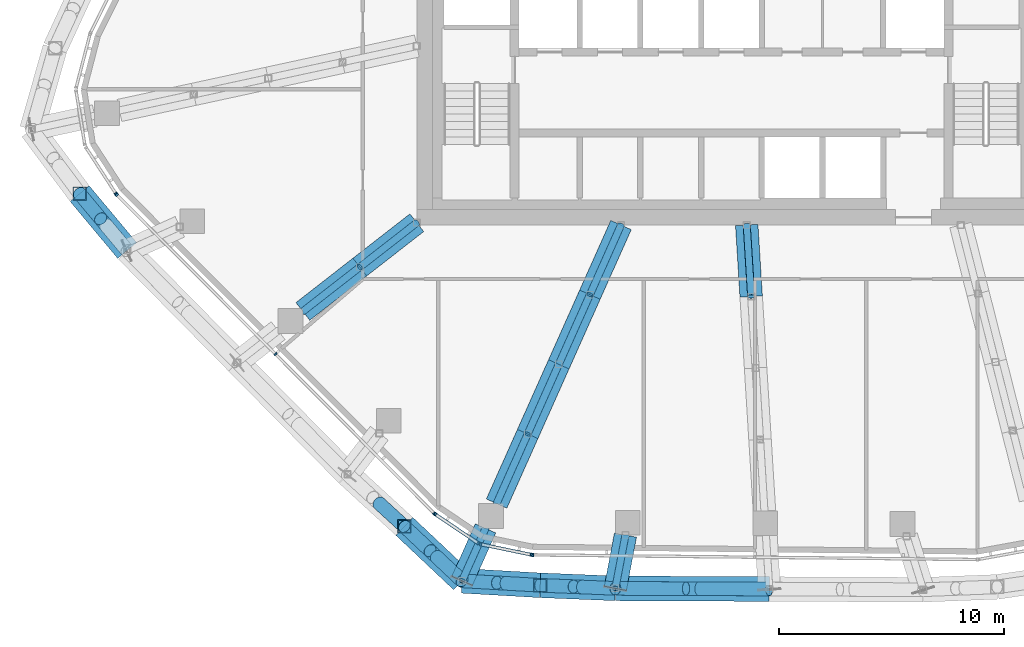
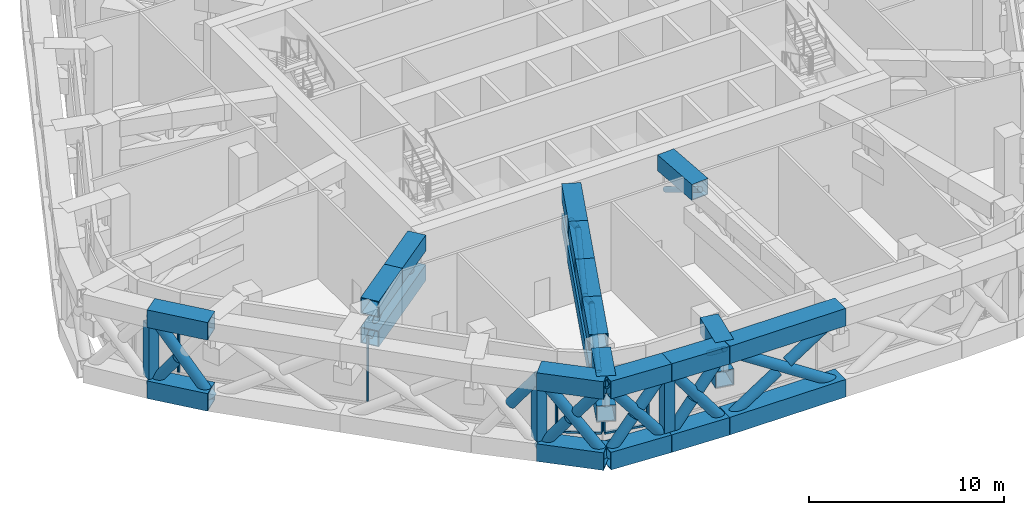
# One storey, part 2 of 31: 61 members, 4 elements without a shape of their own.
"""IFC4 building model written with IfcOpenShell, lengths in metres."""

from ifc_helpers import new_model, si_unit, direction, frame, origin, origin_2d, place, context, subcontext, project, spatial, rectangle, hollow_rectangle, hollow_circle, extrude, material, layer, layer_set, material_profile, profile_set, type_object, element, aggregate, save


model = new_model("IFC4")

# Units and contexts
model_context = context("Model", 3, precision=1e-05, world=origin(), true_north=direction((0.0, 1.0)))
body_context = subcontext(model_context, "Body", "Model", "MODEL_VIEW")
ifc_project = project(units=[si_unit("LENGTHUNIT", "METRE"), si_unit("AREAUNIT", "SQUARE_METRE"), si_unit("VOLUMEUNIT", "CUBIC_METRE"), si_unit("PLANEANGLEUNIT", "RADIAN"), si_unit("MASSUNIT", "GRAM", prefix="KILO")], contexts=[model_context])

# Site, building, storey
site_placement = place(None, origin())
site = spatial("IfcSite", under=ifc_project, at=site_placement, CompositionType="ELEMENT")
building_placement = place(site_placement, origin())
building = spatial("IfcBuilding", under=site, at=building_placement, Name="Dongbaek Canopy Tower", CompositionType="ELEMENT")
storey_placement = place(building_placement, frame((0.0, 0.0, 283.199951171875)))
storey = spatial("IfcBuildingStorey", under=building, at=storey_placement, Name="L60", CompositionType="ELEMENT", Elevation=283.199951171875)

# Members
ifc_material_1 = material(Name="Steel S355", Category="steel")
ifc_material_profile_1 = material_profile(ifc_material_1, hollow_circle(Radius=0.304931640625, WallThickness=0.01611328125, at=origin_2d()), Name="BELT BRACE CHS 610.0x16.0 Steel S355")
ifc_profile_set_1 = profile_set([ifc_material_profile_1], Name="Steel S355")
member_type_1 = type_object("IfcMemberType", Name="BELT BRACE CHS 610.0x16.0 Steel S355", PredefinedType="BRACE", material=ifc_profile_set_1)
member_1_placement = place(storey_placement, frame((1.68310546875, -27.197021484375, 0.550048828125), z_axis=(-0.838566307959, 0.003676349297, 0.544787143398), x_axis=(-0.004384046834, -0.999990390021, 0.0)))
element("IfcMember", 1, at=member_1_placement, inside=storey, type_object=member_type_1, Name="BELT:L60:2:D0:0", PredefinedType="BRACE", context=body_context, shape_type="SweptSolid", body=[
    extrude(hollow_circle(Radius=0.304931640625, WallThickness=0.01611328125, at=origin_2d()), origin(), (0.0, 0.0, 1.0), 8.168212890625),
])
for number, where, z_axis, x_axis, name in (
    (2, (-5.16650390625, -27.1669921875, 0.550048828125), (0.838546603537, -0.003645571757, 0.54481767914), (0.004347447464, 0.999990549806, 0.0), "BELT:L60:2:D0:1"),
    (3, (1.68310546875, -27.197021484375, 5.0), (-0.838595463548, 0.003710599396, -0.544742030661), (-0.004424735446, -0.99999021081, 0.0), "BELT:L60:2:D0:2"),
):
    element("IfcMember", number, at=place(storey_placement, frame(where, z_axis=z_axis, x_axis=x_axis)), inside=storey, type_object=member_type_1, Name=name, PredefinedType="BRACE", context=body_context, shape_type="SweptSolid", body=[
        extrude(hollow_circle(Radius=0.304931640625, WallThickness=0.01611328125, at=origin_2d()), origin(), (0.0, 0.0, 1.0), 3.750244140625),
    ])
member_2_placement = place(storey_placement, frame((-5.16650390625, -27.1669921875, 0.550048828125), z_axis=(-0.60045799335, 0.024512964163, 0.799280496954), x_axis=(-0.04078980297, -0.999167749667, 0.0)))
element("IfcMember", 4, at=member_2_placement, inside=storey, type_object=member_type_1, Name="BELT:L60:3:D0:0", PredefinedType="BRACE", context=body_context, shape_type="SweptSolid", body=[
    extrude(hollow_circle(Radius=0.304931640625, WallThickness=0.01611328125, at=origin_2d()), origin(), (0.0, 0.0, 1.0), 5.5673828125),
])
member_3_placement = place(storey_placement, frame((-8.509521484375, -27.030517578125, 0.550048828125), z_axis=(0.60048563624, -0.024451030688, 0.799261626608), x_axis=(0.040685046014, 0.999172020741, 0.0)))
element("IfcMember", 5, at=member_3_placement, inside=storey, type_object=member_type_1, Name="BELT:L60:3:D0:1", PredefinedType="BRACE", context=body_context, shape_type="SweptSolid", body=[
    extrude(hollow_circle(Radius=0.304931640625, WallThickness=0.01611328125, at=origin_2d()), origin(), (0.0, 0.0, 1.0), 2.46630859375),
])
member_4_placement = place(storey_placement, frame((-5.16650390625, -27.1669921875, 5.0), z_axis=(-0.600420877005, 0.024551422506, -0.799307198835), x_axis=(-0.040856212534, -0.999165036367, 0.0)))
element("IfcMember", 6, at=member_4_placement, inside=storey, type_object=member_type_1, Name="BELT:L60:3:D0:2", PredefinedType="BRACE", context=body_context, shape_type="SweptSolid", body=[
    extrude(hollow_circle(Radius=0.304931640625, WallThickness=0.01611328125, at=origin_2d()), origin(), (0.0, 0.0, 1.0), 2.466064453125),
])
member_5_placement = place(storey_placement, frame((-8.509521484375, -27.030517578125, 0.550048828125), z_axis=(-0.615209897132, 0.035344970913, 0.787570641595), x_axis=(-0.0573573071, -0.998353714533, 0.0)))
element("IfcMember", 7, at=member_5_placement, inside=storey, type_object=member_type_1, Name="BELT:L60:3:D1:0", PredefinedType="BRACE", context=body_context, shape_type="SweptSolid", body=[
    extrude(hollow_circle(Radius=0.304931640625, WallThickness=0.01611328125, at=origin_2d()), origin(), (0.0, 0.0, 1.0), 5.650146484375),
])
for number, where, z_axis, x_axis, name in (
    (8, (-11.985595703125, -26.830810546875, 0.550048828125), (0.615192515743, -0.035295540258, 0.787586435518), (0.057278968076, 0.998358212174, 0.0), "BELT:L60:3:D1:1"),
    (9, (-8.509521484375, -27.030517578125, 5.0), (-0.615190401575, 0.035392651521, -0.787583728901), (-0.057436241542, -0.99834917647, 0.0), "BELT:L60:3:D1:2"),
):
    element("IfcMember", number, at=place(storey_placement, frame(where, z_axis=z_axis, x_axis=x_axis)), inside=storey, type_object=member_type_1, Name=name, PredefinedType="BRACE", context=body_context, shape_type="SweptSolid", body=[
        extrude(hollow_circle(Radius=0.304931640625, WallThickness=0.01611328125, at=origin_2d()), origin(), (0.0, 0.0, 1.0), 2.510986328125),
    ])
member_6_placement = place(storey_placement, frame((-11.985595703125, -26.830810546875, 0.550048828125), z_axis=(-0.452342830165, 0.426166776994, 0.783433368056), x_axis=(-0.685733513209, -0.727852697228, 0.0)))
element("IfcMember", 10, at=member_6_placement, inside=storey, type_object=member_type_1, Name="BELT:L60:4:D0:0", PredefinedType="BRACE", context=body_context, shape_type="SweptSolid", body=[
    extrude(hollow_circle(Radius=0.304931640625, WallThickness=0.01611328125, at=origin_2d()), origin(), (0.0, 0.0, 1.0), 5.68017578125),
])
member_7_placement = place(storey_placement, frame((-14.554931640625, -24.41015625, 0.550048828125), z_axis=(0.452300413412, -0.426211733297, 0.783433401399), x_axis=(0.68580589757, 0.727784494791, 0.0)))
element("IfcMember", 11, at=member_7_placement, inside=storey, type_object=member_type_1, Name="BELT:L60:4:D0:1", PredefinedType="BRACE", context=body_context, shape_type="SweptSolid", body=[
    extrude(hollow_circle(Radius=0.304931640625, WallThickness=0.01611328125, at=origin_2d()), origin(), (0.0, 0.0, 1.0), 2.526611328125),
])
member_8_placement = place(storey_placement, frame((-11.985595703125, -26.830810546875, 5.0), z_axis=(-0.452377266045, 0.426193105622, -0.783399161275), x_axis=(-0.6857283013, -0.727857607501, 0.0)))
element("IfcMember", 12, at=member_8_placement, inside=storey, type_object=member_type_1, Name="BELT:L60:4:D0:2", PredefinedType="BRACE", context=body_context, shape_type="SweptSolid", body=[
    extrude(hollow_circle(Radius=0.304931640625, WallThickness=0.01611328125, at=origin_2d()), origin(), (0.0, 0.0, 1.0), 2.52685546875),
])
member_9_placement = place(storey_placement, frame((-14.554931640625, -24.41015625, 5.0), z_axis=(-0.449975644303, 0.412983301209, -0.791812296227), x_axis=(-0.676174358475, -0.736741635135, 0.0)))
element("IfcMember", 13, at=member_9_placement, inside=storey, type_object=member_type_1, Name="BELT:L60:4:D1:2", PredefinedType="BRACE", context=body_context, shape_type="SweptSolid", body=[
    extrude(hollow_circle(Radius=0.304931640625, WallThickness=0.01611328125, at=origin_2d()), origin(), (0.0, 0.0, 1.0), 2.49462890625),
])
member_10_placement = place(storey_placement, frame((-26.888916015625, -12.134033203125, 0.550048828125), z_axis=(-0.381685479153, 0.457599605966, 0.803068362983), x_axis=(-0.767930292802, -0.640533422544, 0.0)))
element("IfcMember", 14, at=member_10_placement, inside=storey, type_object=member_type_1, Name="BELT:L60:7:D0:0", PredefinedType="BRACE", context=body_context, shape_type="SweptSolid", body=[
    extrude(hollow_circle(Radius=0.304931640625, WallThickness=0.01611328125, at=origin_2d()), origin(), (0.0, 0.0, 1.0), 5.541259765625),
])
member_11_placement = place(storey_placement, frame((-29.00390625, -9.598388671875, 0.550048828125), z_axis=(0.38166363288, -0.457637896352, 0.803056926475), x_axis=(0.767974687079, 0.640480194859, 0.0)))
element("IfcMember", 15, at=member_11_placement, inside=storey, type_object=member_type_1, Name="BELT:L60:7:D0:1", PredefinedType="BRACE", context=body_context, shape_type="SweptSolid", body=[
    extrude(hollow_circle(Radius=0.304931640625, WallThickness=0.01611328125, at=origin_2d()), origin(), (0.0, 0.0, 1.0), 2.451904296875),
])
ifc_material_2 = material(Name="Steel S355", Category="steel")
ifc_material_profile_2 = material_profile(ifc_material_2, hollow_rectangle(XDim=1.10009765625, YDim=1.10009765625, WallThickness=0.054931640625, at=origin_2d()), Name="BELT CHORD BOX 1100x1100x55 Steel S355")
ifc_profile_set_2 = profile_set([ifc_material_profile_2], Name="Steel S355")
member_type_2 = type_object("IfcMemberType", Name="BELT CHORD BOX 1100x1100x55 Steel S355", PredefinedType="CHORD", material=ifc_profile_set_2)
for number, where, z_axis, x_axis, name in (
    (16, (1.68310546875, -27.197021484375, 0.550048828125), (-0.999990390021, 0.004384046834, 0.0), (-0.004384046834, -0.999990390021, 0.0), "BELT:L60:2:CB0"),
    (17, (1.68310546875, -27.197021484375, 5.0), (-0.999990390021, 0.004384046834, 0.0), (-0.004384046834, -0.999990390021, 0.0), "BELT:L60:2:CT0"),
):
    element("IfcMember", number, at=place(storey_placement, frame(where, z_axis=z_axis, x_axis=x_axis)), inside=storey, type_object=member_type_2, Name=name, PredefinedType="CHORD", context=body_context, shape_type="SweptSolid", body=[
        extrude(hollow_rectangle(XDim=1.10009765625, YDim=1.10009765625, WallThickness=0.054931640625, at=origin_2d()), origin(), (0.0, 0.0, 1.0), 6.849609375),
    ])
for number, where, z_axis, x_axis, name in (
    (18, (-5.16650390625, -27.1669921875, 0.550048828125), (-0.999167749667, 0.04078980297, 0.0), (-0.04078980297, -0.999167749667, 0.0), "BELT:L60:3:CB0"),
    (19, (-5.16650390625, -27.1669921875, 5.0), (-0.999167749667, 0.04078980297, 0.0), (-0.04078980297, -0.999167749667, 0.0), "BELT:L60:3:CT0"),
):
    element("IfcMember", number, at=place(storey_placement, frame(where, z_axis=z_axis, x_axis=x_axis)), inside=storey, type_object=member_type_2, Name=name, PredefinedType="CHORD", context=body_context, shape_type="SweptSolid", body=[
        extrude(hollow_rectangle(XDim=1.10009765625, YDim=1.10009765625, WallThickness=0.054931640625, at=origin_2d()), origin(), (0.0, 0.0, 1.0), 3.345703125),
    ])
for number, where, z_axis, x_axis, name in (
    (20, (-8.509521484375, -27.030517578125, 0.550048828125), (-0.998353714533, 0.0573573071, 0.0), (-0.0573573071, -0.998353714533, 0.0), "BELT:L60:3:CB1"),
    (21, (-8.509521484375, -27.030517578125, 5.0), (-0.998353714533, 0.0573573071, 0.0), (-0.0573573071, -0.998353714533, 0.0), "BELT:L60:3:CT1"),
):
    element("IfcMember", number, at=place(storey_placement, frame(where, z_axis=z_axis, x_axis=x_axis)), inside=storey, type_object=member_type_2, Name=name, PredefinedType="CHORD", context=body_context, shape_type="SweptSolid", body=[
        extrude(hollow_rectangle(XDim=1.10009765625, YDim=1.10009765625, WallThickness=0.054931640625, at=origin_2d()), origin(), (0.0, 0.0, 1.0), 3.481689453125),
    ])
for number, where, z_axis, x_axis, name in (
    (22, (-11.985595703125, -26.830810546875, 0.550048828125), (-0.727852697228, 0.685733513209, 0.0), (-0.685733513209, -0.727852697228, 0.0), "BELT:L60:4:CB0"),
    (23, (-11.985595703125, -26.830810546875, 5.0), (-0.727852697228, 0.685733513209, 0.0), (-0.685733513209, -0.727852697228, 0.0), "BELT:L60:4:CT0"),
):
    element("IfcMember", number, at=place(storey_placement, frame(where, z_axis=z_axis, x_axis=x_axis)), inside=storey, type_object=member_type_2, Name=name, PredefinedType="CHORD", context=body_context, shape_type="SweptSolid", body=[
        extrude(hollow_rectangle(XDim=1.10009765625, YDim=1.10009765625, WallThickness=0.054931640625, at=origin_2d()), origin(), (0.0, 0.0, 1.0), 3.530029296875),
    ])
for number, where, z_axis, x_axis, name in (
    (24, (-26.888916015625, -12.134033203125, 0.550048828125), (-0.640533422544, 0.767930292802, 0.0), (-0.767930292802, -0.640533422544, 0.0), "BELT:L60:7:CB0"),
    (25, (-26.888916015625, -12.134033203125, 5.0), (-0.640533422544, 0.767930292802, 0.0), (-0.767930292802, -0.640533422544, 0.0), "BELT:L60:7:CT0"),
):
    element("IfcMember", number, at=place(storey_placement, frame(where, z_axis=z_axis, x_axis=x_axis)), inside=storey, type_object=member_type_2, Name=name, PredefinedType="CHORD", context=body_context, shape_type="SweptSolid", body=[
        extrude(hollow_rectangle(XDim=1.10009765625, YDim=1.10009765625, WallThickness=0.054931640625, at=origin_2d()), origin(), (0.0, 0.0, 1.0), 3.302001953125),
    ])
ifc_material_3 = material(Name="Steel S355", Category="steel")
ifc_material_profile_3 = material_profile(ifc_material_3, hollow_rectangle(XDim=0.60009765625, YDim=0.60009765625, WallThickness=0.031982421875, at=origin_2d()), Name="BELT POST BOX 600x600x32 Steel S355")
ifc_profile_set_3 = profile_set([ifc_material_profile_3], Name="Steel S355")
member_type_3 = type_object("IfcMemberType", Name="BELT POST BOX 600x600x32 Steel S355", PredefinedType="POST", material=ifc_profile_set_3)
for number, where, z_axis, x_axis, name in (
    (26, (-8.509521484375, -27.030517578125, 1.10009765625), (0.0, 0.0, 1.0), (1.0, 0.0, 0.0), "BELT:L60:3:P1"),
    (27, (-14.554931640625, -24.41015625, 1.10009765625), (0.0, 0.0, 1.0), (1.0, 0.0, 0.0), "BELT:L60:4:P1"),
    (28, (-29.00390625, -9.598388671875, 1.10009765625), (0.0, 0.0, 1.0), (1.0, 0.0, 0.0), "BELT:L60:7:P1"),
):
    element("IfcMember", number, at=place(storey_placement, frame(where, z_axis=z_axis, x_axis=x_axis)), inside=storey, type_object=member_type_3, Name=name, PredefinedType="POST", context=body_context, shape_type="SweptSolid", body=[
        extrude(hollow_rectangle(XDim=0.60009765625, YDim=0.60009765625, WallThickness=0.031982421875, at=origin_2d()), origin(), (0.0, 0.0, 1.0), 3.349853515625),
    ])
ifc_material_4 = material(Name="Steel S355", Category="steel")
ifc_material_profile_4 = material_profile(ifc_material_4, hollow_circle(Radius=0.1591796875, WallThickness=0.01025390625, at=origin_2d()), Name="BRACE CHS 318.5x10.3 Steel S355")
ifc_profile_set_4 = profile_set([ifc_material_profile_4], Name="Steel S355")
member_type_4 = type_object("IfcMemberType", Name="BRACE CHS 318.5x10.3 Steel S355", PredefinedType="BRACE", material=ifc_profile_set_4)
member_12_placement = place(storey_placement, frame((-4.715576171875, -24.7958984375, 3.199951171875), z_axis=(-0.148277890348, -0.779683200356, 0.608364836522), x_axis=(0.982392532497, -0.186828563378, 0.0)))
element("IfcMember", 29, at=member_12_placement, inside=storey, type_object=member_type_4, Name="TRUSS:L60:3:D0", PredefinedType="BRACE", context=body_context, shape_type="SweptSolid", body=[
    extrude(hollow_circle(Radius=0.1591796875, WallThickness=0.01025390625, at=origin_2d()), origin(), (0.0, 0.0, 1.0), 3.041015625),
])
ifc_material_5 = material(Name="Steel S355", Category="steel")
ifc_material_profile_5 = material_profile(ifc_material_5, hollow_rectangle(XDim=1.0, YDim=1.0, WallThickness=0.050048828125, at=origin_2d()), Name="CHORD BOX 1000x1000x50 Steel S355")
ifc_profile_set_5 = profile_set([ifc_material_profile_5], Name="Steel S355")
member_type_5 = type_object("IfcMemberType", Name="CHORD BOX 1000x1000x50 Steel S355", PredefinedType="CHORD", material=ifc_profile_set_5)
for number, where, z_axis, x_axis, name in (
    (30, (-4.715576171875, -24.7958984375, 3.199951171875), (-0.186828563378, -0.982392532497, 0.0), (0.982392532497, -0.186828563378, 0.0), "TRUSS:L60:3:CB"),
    (31, (-4.715576171875, -24.7958984375, 5.050048828125), (-0.186828563378, -0.982392532497, 0.0), (0.982392532497, -0.186828563378, 0.0), "TRUSS:L60:3:CT0"),
):
    element("IfcMember", number, at=place(storey_placement, frame(where, z_axis=z_axis, x_axis=x_axis)), inside=storey, type_object=member_type_5, Name=name, PredefinedType="CHORD", context=body_context, shape_type="SweptSolid", body=[
        extrude(hollow_rectangle(XDim=1.0, YDim=1.0, WallThickness=0.050048828125, at=origin_2d()), origin(), (0.0, 0.0, 1.0), 2.41357421875),
    ])

# Curtain wall, member
ifc_material_6 = material(Name="Aluminium 6063-T6 pale anodised", Category="aluminium")
ifc_layer = layer(ifc_material_6, 0.14990234375)
ifc_layer_set = layer_set([ifc_layer], Name="CW-7 louvre curtain wall")
curtain_wall_type = type_object("IfcCurtainWallType", Name="CW-7 louvre curtain wall", PredefinedType="NOTDEFINED", material=ifc_layer_set)
curtain_wall_1_placement = place(storey_placement, origin())
curtain_wall_1 = element("IfcCurtainWall", 32, at=curtain_wall_1_placement, inside=storey, type_object=curtain_wall_type, Name="CW-7 louvre wall L60 K3", PredefinedType="NOTDEFINED")
ifc_material_7 = material(Name="Aluminium 6063-T6 pale anodised", Category="aluminium")
ifc_material_profile_6 = material_profile(ifc_material_7, rectangle(XDim=0.14990234375, YDim=0.080078125, at=origin_2d()), Name="CW-7 mullion 80 x 150")
ifc_profile_set_6 = profile_set([ifc_material_profile_6], Name="Aluminium 6063-T6 pale anodised")
member_type_6 = type_object("IfcMemberType", Name="CW-7 mullion 80 x 150", PredefinedType="MULLION", material=ifc_profile_set_6)
member_13_placement = place(storey_placement, frame((-27.3935546875, -9.599609375, 0.775146484375), z_axis=(0.0, 0.0, 1.0), x_axis=(-0.838611468933, -0.544730028706, 0.0)))
member_13 = element("IfcMember", 33, at=member_13_placement, type_object=member_type_6, Name="CW-7 mullion L60 K3.3.2", PredefinedType="MULLION", context=body_context, shape_type="SweptSolid", body=[
    extrude(rectangle(XDim=0.14990234375, YDim=0.080078125, at=origin_2d()), origin(), (0.0, 0.0, 1.0), 4.0),
])
aggregate(curtain_wall_1, [member_13])

# Curtain wall, members
curtain_wall_2_placement = place(storey_placement, origin())
curtain_wall_2 = element("IfcCurtainWall", 34, at=curtain_wall_2_placement, inside=storey, type_object=curtain_wall_type, Name="CW-7 louvre wall L60 F3", PredefinedType="NOTDEFINED")
member_14_placement = place(storey_placement, frame((-27.347900390625, -9.656005859375, 0.775146484375), z_axis=(0.0, 0.0, 1.0), x_axis=(-0.708442799944, -0.705768233351, 0.0)))
member_14 = element("IfcMember", 35, at=member_14_placement, type_object=member_type_6, Name="CW-7 mullion L60 F3.1.1", PredefinedType="MULLION", context=body_context, shape_type="SweptSolid", body=[
    extrude(rectangle(XDim=0.14990234375, YDim=0.080078125, at=origin_2d()), origin(), (0.0, 0.0, 1.0), 4.0),
])
member_15_placement = place(storey_placement, frame((-20.287109375, -16.74365234375, 0.775146484375), z_axis=(0.0, 0.0, 1.0), x_axis=(-0.708442799944, -0.705768233351, 0.0)))
member_15 = element("IfcMember", 36, at=member_15_placement, type_object=member_type_6, Name="CW-7 mullion L60 F3.1.2", PredefinedType="MULLION", context=body_context, shape_type="SweptSolid", body=[
    extrude(rectangle(XDim=0.14990234375, YDim=0.080078125, at=origin_2d()), origin(), (0.0, 0.0, 1.0), 4.0),
])
member_16_placement = place(storey_placement, frame((-13.22607421875, -23.831298828125, 0.775146484375), z_axis=(0.0, 0.0, 1.0), x_axis=(-0.708442799944, -0.705768233351, 0.0)))
member_16 = element("IfcMember", 37, at=member_16_placement, type_object=member_type_6, Name="CW-7 mullion L60 F3.1.3", PredefinedType="MULLION", context=body_context, shape_type="SweptSolid", body=[
    extrude(rectangle(XDim=0.14990234375, YDim=0.080078125, at=origin_2d()), origin(), (0.0, 0.0, 1.0), 4.0),
])
aggregate(curtain_wall_2, [member_14, member_15, member_16])

curtain_wall_3_placement = place(storey_placement, origin())
curtain_wall_3 = element("IfcCurtainWall", 38, at=curtain_wall_3_placement, inside=storey, type_object=curtain_wall_type, Name="CW-7 louvre wall L60 K4", PredefinedType="NOTDEFINED")
member_17_placement = place(storey_placement, frame((-13.173828125, -23.87451171875, 0.775146484375), z_axis=(0.0, 0.0, 1.0), x_axis=(-0.55891837308, -0.829222679522, 0.0)))
member_17 = element("IfcMember", 39, at=member_17_placement, type_object=member_type_6, Name="CW-7 mullion L60 K4.1.1", PredefinedType="MULLION", context=body_context, shape_type="SweptSolid", body=[
    extrude(rectangle(XDim=0.14990234375, YDim=0.080078125, at=origin_2d()), origin(), (0.0, 0.0, 1.0), 4.0),
])
member_18_placement = place(storey_placement, frame((-11.27783203125, -25.15234375, 0.775146484375), z_axis=(0.0, 0.0, 1.0), x_axis=(-0.55891837308, -0.829222679522, 0.0)))
member_18 = element("IfcMember", 40, at=member_18_placement, type_object=member_type_6, Name="CW-7 mullion L60 K4.1.2", PredefinedType="MULLION", context=body_context, shape_type="SweptSolid", body=[
    extrude(rectangle(XDim=0.14990234375, YDim=0.080078125, at=origin_2d()), origin(), (0.0, 0.0, 1.0), 4.0),
])
member_19_placement = place(storey_placement, frame((-11.1533203125, -25.204833984375, 0.775146484375), z_axis=(0.0, 0.0, 1.0), x_axis=(-0.203237968637, -0.979129372506, 0.0)))
member_19 = element("IfcMember", 41, at=member_19_placement, type_object=member_type_6, Name="CW-7 mullion L60 K4.2.1", PredefinedType="MULLION", context=body_context, shape_type="SweptSolid", body=[
    extrude(rectangle(XDim=0.14990234375, YDim=0.080078125, at=origin_2d()), origin(), (0.0, 0.0, 1.0), 4.0),
])
member_20_placement = place(storey_placement, frame((-8.91455078125, -25.669677734375, 0.775146484375), z_axis=(0.0, 0.0, 1.0), x_axis=(-0.203237968637, -0.979129372506, 0.0)))
member_20 = element("IfcMember", 42, at=member_20_placement, type_object=member_type_6, Name="CW-7 mullion L60 K4.2.2", PredefinedType="MULLION", context=body_context, shape_type="SweptSolid", body=[
    extrude(rectangle(XDim=0.14990234375, YDim=0.080078125, at=origin_2d()), origin(), (0.0, 0.0, 1.0), 4.0),
])

# Curtain wall, member
curtain_wall_4_placement = place(storey_placement, origin())
curtain_wall_4 = element("IfcCurtainWall", 43, at=curtain_wall_4_placement, inside=storey, type_object=curtain_wall_type, Name="CW-7 louvre wall L60 F4", PredefinedType="NOTDEFINED")
member_21_placement = place(storey_placement, frame((-8.84716796875, -25.677001953125, 0.775146484375), z_axis=(0.0, 0.0, 1.0), x_axis=(-0.010455060118, -0.999945344365, 0.0)))
member_21 = element("IfcMember", 44, at=member_21_placement, type_object=member_type_6, Name="CW-7 mullion L60 F4.1.1", PredefinedType="MULLION", context=body_context, shape_type="SweptSolid", body=[
    extrude(rectangle(XDim=0.14990234375, YDim=0.080078125, at=origin_2d()), origin(), (0.0, 0.0, 1.0), 4.0),
])
aggregate(curtain_wall_4, [member_21])

# Member
ifc_material_8 = material(Name="Aluminium 6063-T6 pale anodised", Category="aluminium")
ifc_material_profile_7 = material_profile(ifc_material_8, rectangle(XDim=0.14990234375, YDim=0.1201171875, at=origin_2d()), Name="CW-7 transom 120 x 150")
ifc_profile_set_7 = profile_set([ifc_material_profile_7], Name="Aluminium 6063-T6 pale anodised")
member_type_7 = type_object("IfcMemberType", Name="CW-7 transom 120 x 150", PredefinedType="USERDEFINED", material=ifc_profile_set_7)
member_22_placement = place(storey_placement, frame((-13.173828125, -23.87451171875, 0.715087890625), z_axis=(0.829247063174, -0.558882195294, 0.0), x_axis=(0.558882195294, 0.829247063174, 0.0)))
member_22 = element("IfcMember", 45, at=member_22_placement, type_object=member_type_7, Name="CW-7 transom L60 K4.1", ObjectType="TRANSOM", PredefinedType="USERDEFINED", context=body_context, shape_type="SweptSolid", body=[
    extrude(rectangle(XDim=0.14990234375, YDim=0.1201171875, at=origin_2d()), origin(), (0.0, 0.0, 1.0), 2.286376953125),
])

member_23_placement = place(storey_placement, frame((-11.1533203125, -25.204833984375, 0.715087890625), z_axis=(0.97911699808, -0.203297575174, 0.0), x_axis=(0.203297575174, 0.97911699808, 0.0)))
member_23 = element("IfcMember", 46, at=member_23_placement, type_object=member_type_7, Name="CW-7 transom L60 K4.2", ObjectType="TRANSOM", PredefinedType="USERDEFINED", context=body_context, shape_type="SweptSolid", body=[
    extrude(rectangle(XDim=0.14990234375, YDim=0.1201171875, at=origin_2d()), origin(), (0.0, 0.0, 1.0), 2.28662109375),
])

aggregate(curtain_wall_3, [member_22, member_17, member_18, member_23, member_19, member_20])

# Members
ifc_material_9 = material(Name="Steel S355", Category="steel")
ifc_material_profile_8 = material_profile(ifc_material_9, hollow_circle(Radius=0.1591796875, WallThickness=0.01025390625, at=origin_2d()), Name="OUTRIGGER BRACE CHS 318.5x10.3 Steel S355")
ifc_profile_set_8 = profile_set([ifc_material_profile_8], Name="Steel S355")
member_type_8 = type_object("IfcMemberType", Name="OUTRIGGER BRACE CHS 318.5x10.3 Steel S355", PredefinedType="BRACE", material=ifc_profile_set_8)
member_24_placement = place(storey_placement, frame((0.6806640625, -11.0, 3.199951171875), z_axis=(0.053404607323, -0.863153622324, 0.502109322942), x_axis=(0.998091436747, 0.061753411992, 0.0)))
element("IfcMember", 47, at=member_24_placement, inside=storey, type_object=member_type_8, Name="TRUSS:L60:2:D0", PredefinedType="BRACE", context=body_context, shape_type="SweptSolid", body=[
    extrude(hollow_circle(Radius=0.1591796875, WallThickness=0.01025390625, at=origin_2d()), origin(), (0.0, 0.0, 1.0), 3.6845703125),
])
member_25_placement = place(storey_placement, frame((-4.913818359375, -11.0, 3.199951171875), z_axis=(-0.358092282399, -0.801697254458, 0.478593177429), x_axis=(0.913056584081, -0.407832899932, 0.0)))
element("IfcMember", 48, at=member_25_placement, inside=storey, type_object=member_type_8, Name="TRUSS:L60:4:D0", PredefinedType="BRACE", context=body_context, shape_type="SweptSolid", body=[
    extrude(hollow_circle(Radius=0.1591796875, WallThickness=0.01025390625, at=origin_2d()), origin(), (0.0, 0.0, 1.0), 3.86572265625),
])
member_26_placement = place(storey_placement, frame((-6.298095703125, -14.09912109375, 5.050048828125), z_axis=(-0.358165471131, -0.801656555292, -0.478606584417), x_axis=(0.913017830672, -0.407919650023, 0.0)))
element("IfcMember", 49, at=member_26_placement, inside=storey, type_object=member_type_8, Name="TRUSS:L60:4:D1", PredefinedType="BRACE", context=body_context, shape_type="SweptSolid", body=[
    extrude(hollow_circle(Radius=0.1591796875, WallThickness=0.01025390625, at=origin_2d()), origin(), (0.0, 0.0, 1.0), 3.865478515625),
])
member_27_placement = place(storey_placement, frame((-7.6826171875, -17.197998046875, 3.199951171875), z_axis=(-0.358092282399, -0.801697254458, 0.478593177429), x_axis=(0.913056584081, -0.407832899932, 0.0)))
element("IfcMember", 50, at=member_27_placement, inside=storey, type_object=member_type_8, Name="TRUSS:L60:4:D2", PredefinedType="BRACE", context=body_context, shape_type="SweptSolid", body=[
    extrude(hollow_circle(Radius=0.1591796875, WallThickness=0.01025390625, at=origin_2d()), origin(), (0.0, 0.0, 1.0), 3.86572265625),
])
member_28_placement = place(storey_placement, frame((-9.06689453125, -20.297119140625, 5.050048828125), z_axis=(-0.358165471131, -0.801656555292, -0.478606584417), x_axis=(0.913017830672, -0.407919650023, 0.0)))
element("IfcMember", 51, at=member_28_placement, inside=storey, type_object=member_type_8, Name="TRUSS:L60:4:D3", PredefinedType="BRACE", context=body_context, shape_type="SweptSolid", body=[
    extrude(hollow_circle(Radius=0.1591796875, WallThickness=0.01025390625, at=origin_2d()), origin(), (0.0, 0.0, 1.0), 3.865478515625),
])
member_29_placement = place(storey_placement, frame((-10.942626953125, -24.49609375, 3.199951171875), z_axis=(-0.330451621459, -0.739725855808, 0.586180334133), x_axis=(0.913038215755, -0.407874020465, 0.0)))
element("IfcMember", 52, at=member_29_placement, inside=storey, type_object=member_type_8, Name="TRUSS:L60:4s:D0", PredefinedType="BRACE", context=body_context, shape_type="SweptSolid", body=[
    extrude(hollow_circle(Radius=0.1591796875, WallThickness=0.01025390625, at=origin_2d()), origin(), (0.0, 0.0, 1.0), 3.15625),
])
member_30_placement = place(storey_placement, frame((-14.0, -10.896240234375, 3.199951171875), z_axis=(-0.683883715998, -0.532319230177, 0.4989381727), x_axis=(0.614235109089, -0.789123077069, 0.0)))
element("IfcMember", 53, at=member_30_placement, inside=storey, type_object=member_type_8, Name="TRUSS:L60:6:D0", PredefinedType="BRACE", context=body_context, shape_type="SweptSolid", body=[
    extrude(hollow_circle(Radius=0.1591796875, WallThickness=0.01025390625, at=origin_2d()), origin(), (0.0, 0.0, 1.0), 3.7080078125),
])
member_31_placement = place(storey_placement, frame((-16.535888671875, -12.8701171875, 5.050048828125), z_axis=(-0.683918760651, -0.532295261827, -0.498915707375), x_axis=(0.61419828637, -0.78915173764, 0.0)))
element("IfcMember", 54, at=member_31_placement, inside=storey, type_object=member_type_8, Name="TRUSS:L60:6:D1", PredefinedType="BRACE", context=body_context, shape_type="SweptSolid", body=[
    extrude(hollow_circle(Radius=0.1591796875, WallThickness=0.01025390625, at=origin_2d()), origin(), (0.0, 0.0, 1.0), 3.708251953125),
])
ifc_material_10 = material(Name="Steel S355", Category="steel")
ifc_material_profile_9 = material_profile(ifc_material_10, hollow_rectangle(XDim=1.0, YDim=1.0, WallThickness=0.050048828125, at=origin_2d()), Name="OUTRIGGER CHORD BOX 1000x1000x50 Steel S355")
ifc_profile_set_9 = profile_set([ifc_material_profile_9], Name="Steel S355")
member_type_9 = type_object("IfcMemberType", Name="OUTRIGGER CHORD BOX 1000x1000x50 Steel S355", PredefinedType="CHORD", material=ifc_profile_set_9)
member_32_placement = place(storey_placement, frame((0.6806640625, -11.0, 5.050048828125), z_axis=(0.061753411992, -0.998091436747, 0.0), x_axis=(0.998091436747, 0.061753411992, 0.0)))
element("IfcMember", 55, at=member_32_placement, inside=storey, type_object=member_type_9, Name="TRUSS:L60:2:CT0", PredefinedType="CHORD", context=body_context, shape_type="SweptSolid", body=[
    extrude(hollow_rectangle(XDim=1.0, YDim=1.0, WallThickness=0.050048828125, at=origin_2d()), origin(), (0.0, 0.0, 1.0), 3.1865234375),
])
member_33_placement = place(storey_placement, frame((-4.913818359375, -11.0, 3.199951171875), z_axis=(-0.40787627465, -0.913037208759, 0.0), x_axis=(0.913037208759, -0.40787627465, 0.0)))
element("IfcMember", 56, at=member_33_placement, inside=storey, type_object=member_type_9, Name="TRUSS:L60:4:CB", PredefinedType="CHORD", context=body_context, shape_type="SweptSolid", body=[
    extrude(hollow_rectangle(XDim=1.0, YDim=1.0, WallThickness=0.050048828125, at=origin_2d()), origin(), (0.0, 0.0, 1.0), 13.57666015625),
])
member_34_placement = place(storey_placement, frame((-4.913818359375, -11.0, 5.050048828125), z_axis=(-0.407832899932, -0.913056584081, 0.0), x_axis=(0.913056584081, -0.407832899932, 0.0)))
element("IfcMember", 57, at=member_34_placement, inside=storey, type_object=member_type_9, Name="TRUSS:L60:4:CT0", PredefinedType="CHORD", context=body_context, shape_type="SweptSolid", body=[
    extrude(hollow_rectangle(XDim=1.0, YDim=1.0, WallThickness=0.050048828125, at=origin_2d()), origin(), (0.0, 0.0, 1.0), 3.394287109375),
])
member_35_placement = place(storey_placement, frame((-6.298095703125, -14.09912109375, 5.050048828125), z_axis=(-0.407919650023, -0.913017830672, 0.0), x_axis=(0.913017830672, -0.407919650023, 0.0)))
element("IfcMember", 58, at=member_35_placement, inside=storey, type_object=member_type_9, Name="TRUSS:L60:4:CT1", PredefinedType="CHORD", context=body_context, shape_type="SweptSolid", body=[
    extrude(hollow_rectangle(XDim=1.0, YDim=1.0, WallThickness=0.050048828125, at=origin_2d()), origin(), (0.0, 0.0, 1.0), 3.39404296875),
])
member_36_placement = place(storey_placement, frame((-7.6826171875, -17.197998046875, 5.050048828125), z_axis=(-0.407832899932, -0.913056584081, 0.0), x_axis=(0.913056584081, -0.407832899932, 0.0)))
element("IfcMember", 59, at=member_36_placement, inside=storey, type_object=member_type_9, Name="TRUSS:L60:4:CT2", PredefinedType="CHORD", context=body_context, shape_type="SweptSolid", body=[
    extrude(hollow_rectangle(XDim=1.0, YDim=1.0, WallThickness=0.050048828125, at=origin_2d()), origin(), (0.0, 0.0, 1.0), 3.394287109375),
])
member_37_placement = place(storey_placement, frame((-9.06689453125, -20.297119140625, 5.050048828125), z_axis=(-0.407919650023, -0.913017830672, 0.0), x_axis=(0.913017830672, -0.407919650023, 0.0)))
element("IfcMember", 60, at=member_37_placement, inside=storey, type_object=member_type_9, Name="TRUSS:L60:4:CT3", PredefinedType="CHORD", context=body_context, shape_type="SweptSolid", body=[
    extrude(hollow_rectangle(XDim=1.0, YDim=1.0, WallThickness=0.050048828125, at=origin_2d()), origin(), (0.0, 0.0, 1.0), 3.39404296875),
])
for number, where, z_axis, x_axis, name in (
    (61, (-10.942626953125, -24.49609375, 3.199951171875), (-0.407874020465, -0.913038215755, 0.0), (0.913038215755, -0.407874020465, 0.0), "TRUSS:L60:4s:CB"),
    (62, (-10.942626953125, -24.49609375, 5.050048828125), (-0.407874020465, -0.913038215755, 0.0), (0.913038215755, -0.407874020465, 0.0), "TRUSS:L60:4s:CT0"),
):
    element("IfcMember", number, at=place(storey_placement, frame(where, z_axis=z_axis, x_axis=x_axis)), inside=storey, type_object=member_type_9, Name=name, PredefinedType="CHORD", context=body_context, shape_type="SweptSolid", body=[
        extrude(hollow_rectangle(XDim=1.0, YDim=1.0, WallThickness=0.050048828125, at=origin_2d()), origin(), (0.0, 0.0, 1.0), 2.55712890625),
    ])
member_38_placement = place(storey_placement, frame((-14.0, -10.896240234375, 3.199951171875), z_axis=(-0.789137407999, -0.614216697345, 0.0), x_axis=(0.614216697345, -0.789137407999, 0.0)))
element("IfcMember", 63, at=member_38_placement, inside=storey, type_object=member_type_9, Name="TRUSS:L60:6:CB", PredefinedType="CHORD", context=body_context, shape_type="SweptSolid", body=[
    extrude(hollow_rectangle(XDim=1.0, YDim=1.0, WallThickness=0.050048828125, at=origin_2d()), origin(), (0.0, 0.0, 1.0), 6.42724609375),
])
member_39_placement = place(storey_placement, frame((-14.0, -10.896240234375, 5.050048828125), z_axis=(-0.789123077069, -0.614235109089, 0.0), x_axis=(0.614235109089, -0.789123077069, 0.0)))
element("IfcMember", 64, at=member_39_placement, inside=storey, type_object=member_type_9, Name="TRUSS:L60:6:CT0", PredefinedType="CHORD", context=body_context, shape_type="SweptSolid", body=[
    extrude(hollow_rectangle(XDim=1.0, YDim=1.0, WallThickness=0.050048828125, at=origin_2d()), origin(), (0.0, 0.0, 1.0), 3.213623046875),
])
member_40_placement = place(storey_placement, frame((-16.535888671875, -12.8701171875, 5.050048828125), z_axis=(-0.78915173764, -0.61419828637, 0.0), x_axis=(0.61419828637, -0.78915173764, 0.0)))
element("IfcMember", 65, at=member_40_placement, inside=storey, type_object=member_type_9, Name="TRUSS:L60:6:CT1", PredefinedType="CHORD", context=body_context, shape_type="SweptSolid", body=[
    extrude(hollow_rectangle(XDim=1.0, YDim=1.0, WallThickness=0.050048828125, at=origin_2d()), origin(), (0.0, 0.0, 1.0), 3.2138671875),
])

save(model, "model.ifc")
